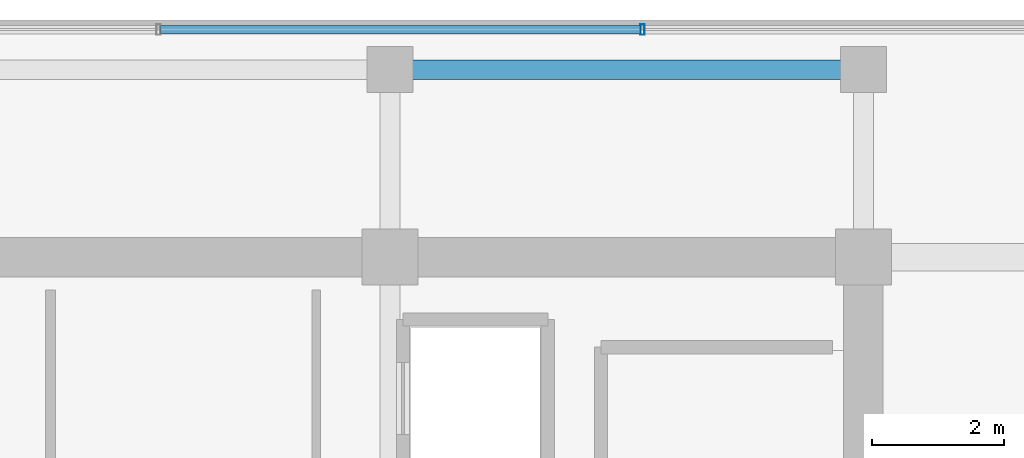
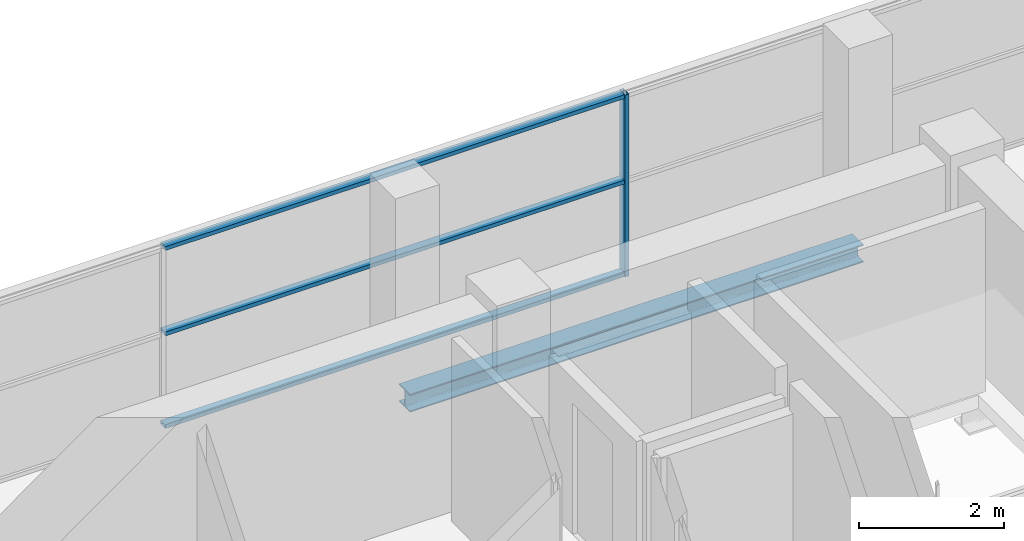
# One storey, part 20 of 29: 4 members, 1 beam, 1 element without a shape of its own.
"""IFC4 building model written with IfcOpenShell, lengths in metres."""

from ifc_helpers import new_model, si_unit, direction, frame, origin, origin_2d, place, context, subcontext, project, spatial, hollow_rectangle, i_section, extrude, source, transform, mapped, material, layer, layer_set, material_profile, profile_set, type_object, element, aggregate, save


model = new_model("IFC4")

# Units and contexts
model_context = context("Model", 3, precision=1e-05, world=origin(), true_north=direction((0.0, 1.0)))
body_context = subcontext(model_context, "Body", "Model", "MODEL_VIEW")
ifc_project = project(units=[si_unit("LENGTHUNIT", "METRE"), si_unit("AREAUNIT", "SQUARE_METRE"), si_unit("VOLUMEUNIT", "CUBIC_METRE"), si_unit("PLANEANGLEUNIT", "RADIAN"), si_unit("MASSUNIT", "GRAM", prefix="KILO")], contexts=[model_context])

# Site, building, storey
site_placement = place(None, origin())
site = spatial("IfcSite", under=ifc_project, at=site_placement, CompositionType="ELEMENT")
building_placement = place(site_placement, origin())
building = spatial("IfcBuilding", under=site, at=building_placement, Name="Zarnakvel Exchange Tower", CompositionType="ELEMENT")
storey_placement = place(building_placement, frame((0.0, 0.0, 258.39990234375)))
storey = spatial("IfcBuildingStorey", under=building, at=storey_placement, Name="L73", CompositionType="ELEMENT", Elevation=258.39990234375)

# Beam
ifc_material_1 = material(Name="Steel S355", Category="steel")
ifc_material_profile_1 = material_profile(ifc_material_1, i_section(OverallWidth=0.300048828125, OverallDepth=0.300048828125, WebThickness=0.010986328125, FlangeThickness=0.01904296875, FilletRadius=0.027099609375, at=origin_2d()))
ifc_profile_set_1 = profile_set([ifc_material_profile_1], Name="Steel S355")
beam_type = type_object("IfcBeamType", Name="SP-03", PredefinedType="SPANDREL", material=ifc_profile_set_1)
beam_placement = place(storey_placement, frame((7.199951171875, 16.35009765625, -0.375), z_axis=(1.0, 0.0, 0.0), x_axis=(0.0, 1.0, 0.0)))
element("IfcBeam", 1, at=beam_placement, inside=storey, type_object=beam_type, Name="L73 Tower E-W Frame Beam", PredefinedType="SPANDREL", context=body_context, shape_type="SweptSolid", body=[
    extrude(i_section(OverallWidth=0.300048828125, OverallDepth=0.300048828125, WebThickness=0.010986328125, FlangeThickness=0.01904296875, FilletRadius=0.027099609375, at=origin_2d()), origin(), (0.0, 0.0, 1.0), 7.199951171875),
])

# Curtain wall, members
ifc_material_2 = material(Name="Architectural Bronze Anodised Aluminium", Category="aluminium")
ifc_layer = layer(ifc_material_2, 0.159912109375)
ifc_layer_set = layer_set([ifc_layer], Name="Architectural Bronze Anodised Aluminium")
curtain_wall_type = type_object("IfcCurtainWallType", Name="CW-06", PredefinedType="NOTDEFINED", material=ifc_layer_set)
curtain_wall_placement = place(storey_placement, origin())
curtain_wall = element("IfcCurtainWall", 2, at=curtain_wall_placement, inside=storey, type_object=curtain_wall_type, Name="L73 Curtain Wall CW-L73-N1 (CW-06)", PredefinedType="NOTDEFINED")
ifc_material_profile_2 = material_profile(ifc_material_2, hollow_rectangle(XDim=0.159912109375, YDim=0.06494140625, WallThickness=0.00390625, at=origin_2d()))
ifc_profile_set_2 = profile_set([ifc_material_profile_2], Name="Architectural Bronze Anodised Aluminium")
member_type_1 = type_object("IfcMemberType", Name="CWM-06", PredefinedType="MULLION", material=ifc_profile_set_2)
shared_shape_1 = source(origin(), body_context, "Body", "SweptSolid", [
    extrude(hollow_rectangle(XDim=0.159912109375, YDim=0.06494140625, WallThickness=0.00390625, at=origin_2d()), origin(), (0.0, 0.0, 1.0), 3.05517578125),
])
member_1_placement = place(storey_placement, frame((11.0400390625, 16.9599609375, 0.0), z_axis=(0.0, 0.0, 1.0), x_axis=(0.0, 1.0, 0.0)))
member_1 = element("IfcMember", 3, at=member_1_placement, type_object=member_type_1, Name="CW-06 mullion 5", PredefinedType="MULLION", context=body_context, shape_type="MappedRepresentation", body=[
    mapped(shared_shape_1, transform((0.0, 0.0, 0.0), x_axis=(1.0, 0.0, 0.0), y_axis=(0.0, 1.0, 0.0), z_axis=(0.0, 0.0, 1.0), scale=1.0)),
])
ifc_material_profile_3 = material_profile(ifc_material_2, hollow_rectangle(XDim=0.1298828125, YDim=0.06494140625, WallThickness=0.00390625, at=origin_2d()))
ifc_profile_set_3 = profile_set([ifc_material_profile_3], Name="Architectural Bronze Anodised Aluminium")
member_type_2 = type_object("IfcMemberType", Name="CWT-06", PredefinedType="USERDEFINED", material=ifc_profile_set_3)
shared_shape_2 = source(origin(), body_context, "Body", "SweptSolid", [
    extrude(hollow_rectangle(XDim=0.1298828125, YDim=0.06494140625, WallThickness=0.00390625, at=origin_2d()), origin(), (0.0, 0.0, 1.0), 7.295166015625),
])
member_2_placement = place(storey_placement, frame((3.71240234375, 16.9599609375, 0.03271484375), z_axis=(1.0, 0.0, 0.0), x_axis=(0.0, 1.0, 0.0)))
member_2 = element("IfcMember", 4, at=member_2_placement, type_object=member_type_2, Name="CW-06 transom 4.1", ObjectType="TRANSOM", PredefinedType="USERDEFINED", context=body_context, shape_type="MappedRepresentation", body=[
    mapped(shared_shape_2, transform((0.0, 0.0, 0.0), x_axis=(1.0, 0.0, 0.0), y_axis=(0.0, 1.0, 0.0), z_axis=(0.0, 0.0, 1.0), scale=1.0)),
])
member_3_placement = place(storey_placement, frame((3.71240234375, 16.9599609375, 1.588623046875), z_axis=(1.0, 0.0, 0.0), x_axis=(0.0, 1.0, 0.0)))
member_3 = element("IfcMember", 5, at=member_3_placement, type_object=member_type_2, Name="CW-06 transom 4.2", ObjectType="TRANSOM", PredefinedType="USERDEFINED", context=body_context, shape_type="MappedRepresentation", body=[
    mapped(shared_shape_2, transform((0.0, 0.0, 0.0), x_axis=(1.0, 0.0, 0.0), y_axis=(0.0, 1.0, 0.0), z_axis=(0.0, 0.0, 1.0), scale=1.0)),
])
member_4_placement = place(storey_placement, frame((3.71240234375, 16.9599609375, 3.022705078125), z_axis=(1.0, 0.0, 0.0), x_axis=(0.0, 1.0, 0.0)))
member_4 = element("IfcMember", 6, at=member_4_placement, type_object=member_type_2, Name="CW-06 transom 4.3", ObjectType="TRANSOM", PredefinedType="USERDEFINED", context=body_context, shape_type="MappedRepresentation", body=[
    mapped(shared_shape_2, transform((0.0, 0.0, 0.0), x_axis=(1.0, 0.0, 0.0), y_axis=(0.0, 1.0, 0.0), z_axis=(0.0, 0.0, 1.0), scale=1.0)),
])
aggregate(curtain_wall, [member_1, member_2, member_3, member_4])

save(model, "model.ifc")
